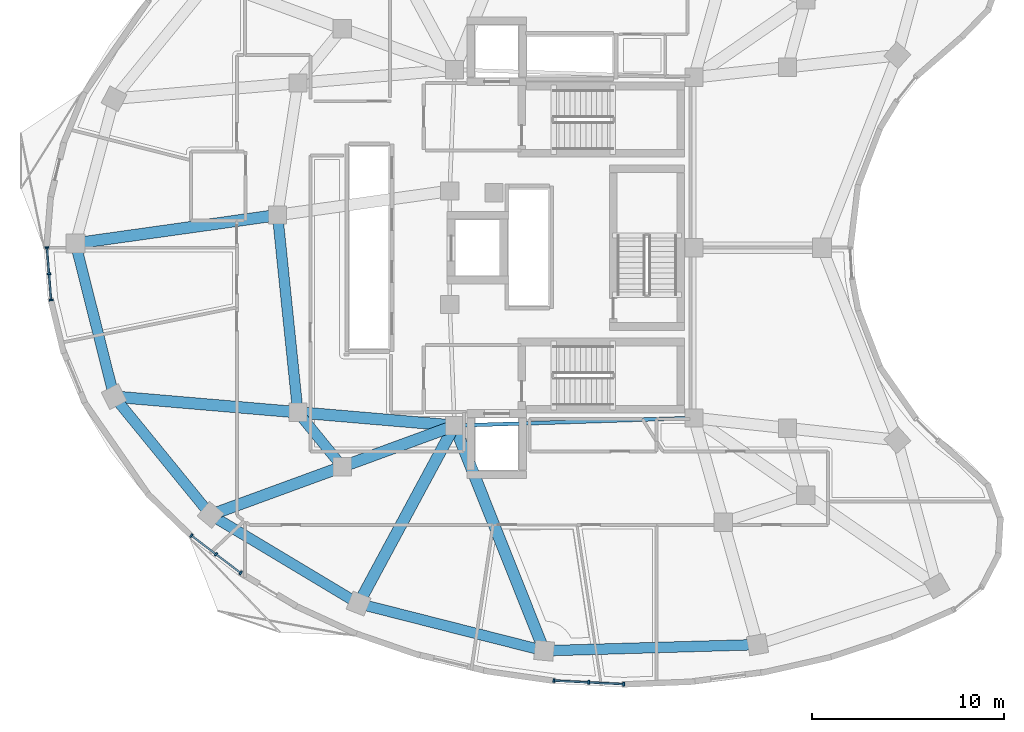
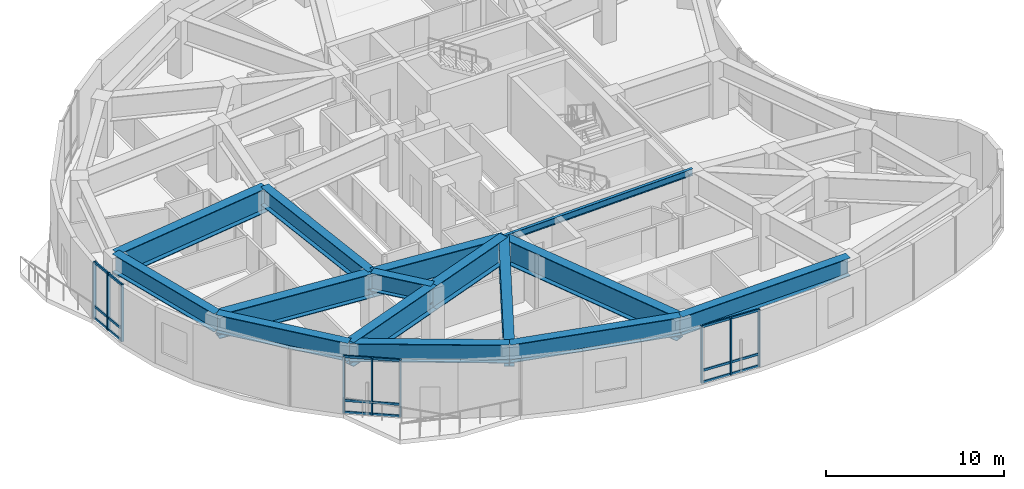
# One storey, part 2 of 14: 27 members, 15 beams, 3 elements without a shape of their own.
"""IFC4 building model written with IfcOpenShell, lengths in metres."""

from ifc_helpers import new_model, si_unit, direction, frame, origin, origin_2d, place, context, subcontext, project, spatial, rectangle, i_section, extrude, material, layer, layer_set, material_profile, profile_set, type_object, element, aggregate, save


model = new_model("IFC4")

# Units and contexts
model_context = context("Model", 3, precision=1e-05, world=origin(), true_north=direction((0.0, 1.0)))
body_context = subcontext(model_context, "Body", "Model", "MODEL_VIEW")
ifc_project = project(units=[si_unit("LENGTHUNIT", "METRE"), si_unit("AREAUNIT", "SQUARE_METRE"), si_unit("VOLUMEUNIT", "CUBIC_METRE"), si_unit("PLANEANGLEUNIT", "RADIAN"), si_unit("MASSUNIT", "GRAM", prefix="KILO")], contexts=[model_context])

# Site, building, storey
site_placement = place(None, origin())
site = spatial("IfcSite", under=ifc_project, at=site_placement, CompositionType="ELEMENT")
building_placement = place(site_placement, origin())
building = spatial("IfcBuilding", under=site, at=building_placement, Name="Korentha Bioscience Tower", CompositionType="ELEMENT")
storey_placement = place(building_placement, frame((0.0, 0.0, 239.39990234375)))
storey = spatial("IfcBuildingStorey", under=building, at=storey_placement, Name="L55", CompositionType="ELEMENT", Elevation=239.39990234375)

# Beams
ifc_material_1 = material(Name="Steel S355", Category="steel")
ifc_material_profile_1 = material_profile(ifc_material_1, i_section(OverallWidth=0.550048828125, OverallDepth=1.25, WebThickness=0.02392578125, FlangeThickness=0.0400390625, at=origin_2d()), Name="Steel S355")
ifc_profile_set_1 = profile_set([ifc_material_profile_1], Name="Steel S355 (TG-03)")
beam_type_1 = type_object("IfcBeamType", Name="Crown Step Transfer Girder CVS 1250x510", PredefinedType="USERDEFINED", material=ifc_profile_set_1)
beam_1_placement = place(storey_placement, frame((15.903076171875, 28.69482421875, 3.275146484375), z_axis=(0.102606546494, -0.994722019771, 0.0), x_axis=(0.994722019771, 0.102606546494, 0.0)))
element("IfcBeam", 1, at=beam_1_placement, inside=storey, type_object=beam_type_1, Name="L55 Mid-Ring Tie Girder 07", ObjectType="TRANSFER_GIRDER", PredefinedType="USERDEFINED", context=body_context, shape_type="SweptSolid", body=[
    extrude(i_section(OverallWidth=0.550048828125, OverallDepth=1.25, WebThickness=0.02392578125, FlangeThickness=0.0400390625, at=origin_2d()), origin(), (0.0, 0.0, 1.0), 10.30517578125),
])
beam_2_placement = place(storey_placement, frame((16.96044921875, 18.444091796875, 3.275146484375), z_axis=(0.632275728894, -0.774743443116, 0.0), x_axis=(0.774743443116, 0.632275728894, 0.0)))
element("IfcBeam", 2, at=beam_2_placement, inside=storey, type_object=beam_type_1, Name="L55 Mid-Ring Tie Girder 08", ObjectType="TRANSFER_GIRDER", PredefinedType="USERDEFINED", context=body_context, shape_type="SweptSolid", body=[
    extrude(i_section(OverallWidth=0.550048828125, OverallDepth=1.25, WebThickness=0.02392578125, FlangeThickness=0.0400390625, at=origin_2d()), origin(), (0.0, 0.0, 1.0), 3.650146484375),
])
beam_3_placement = place(storey_placement, frame((5.39990234375, 27.2216796875, 3.275146484375), z_axis=(0.244207174084, -0.969723082187, 0.0), x_axis=(0.969723082187, 0.244207174084, 0.0)))
element("IfcBeam", 3, at=beam_3_placement, inside=storey, type_object=beam_type_1, Name="L55 Perimeter Spandrel Girder 07", ObjectType="TRANSFER_GIRDER", PredefinedType="USERDEFINED", context=body_context, shape_type="SweptSolid", body=[
    extrude(i_section(OverallWidth=0.550048828125, OverallDepth=1.25, WebThickness=0.02392578125, FlangeThickness=0.0400390625, at=origin_2d()), origin(), (0.0, 0.0, 1.0), 8.211669921875),
])
beam_4_placement = place(storey_placement, frame((7.4052734375, 19.258544921875, 3.275146484375), z_axis=(0.632315820697, -0.774710722074, 0.0), x_axis=(0.774710722074, 0.632315820697, 0.0)))
element("IfcBeam", 4, at=beam_4_placement, inside=storey, type_object=beam_type_1, Name="L55 Perimeter Spandrel Girder 08", ObjectType="TRANSFER_GIRDER", PredefinedType="USERDEFINED", context=body_context, shape_type="SweptSolid", body=[
    extrude(i_section(OverallWidth=0.550048828125, OverallDepth=1.25, WebThickness=0.02392578125, FlangeThickness=0.0400390625, at=origin_2d()), origin(), (0.0, 0.0, 1.0), 7.934814453125),
])
beam_5_placement = place(storey_placement, frame((12.422607421875, 13.111328125, 3.275146484375), z_axis=(0.857644232791, -0.514243492872, 0.0), x_axis=(0.514243492872, 0.857644232791, 0.0)))
element("IfcBeam", 5, at=beam_5_placement, inside=storey, type_object=beam_type_1, Name="L55 Perimeter Spandrel Girder 09", ObjectType="TRANSFER_GIRDER", PredefinedType="USERDEFINED", context=body_context, shape_type="SweptSolid", body=[
    extrude(i_section(OverallWidth=0.550048828125, OverallDepth=1.25, WebThickness=0.02392578125, FlangeThickness=0.0400390625, at=origin_2d()), origin(), (0.0, 0.0, 1.0), 8.96728515625),
])
beam_6_placement = place(storey_placement, frame((20.11328125, 8.5, 3.275146484375), z_axis=(0.969197317616, -0.246285524395, 0.0), x_axis=(0.246285524395, 0.969197317616, 0.0)))
element("IfcBeam", 6, at=beam_6_placement, inside=storey, type_object=beam_type_1, Name="L55 Perimeter Spandrel Girder 10", ObjectType="TRANSFER_GIRDER", PredefinedType="USERDEFINED", context=body_context, shape_type="SweptSolid", body=[
    extrude(i_section(OverallWidth=0.550048828125, OverallDepth=1.25, WebThickness=0.02392578125, FlangeThickness=0.0400390625, at=origin_2d()), origin(), (0.0, 0.0, 1.0), 9.95263671875),
])
beam_7_placement = place(storey_placement, frame((29.75927734375, 6.048828125, 3.275146484375), z_axis=(0.999586140554, 0.028767127286, 0.0), x_axis=(-0.028767127286, 0.999586140554, 0.0)))
element("IfcBeam", 7, at=beam_7_placement, inside=storey, type_object=beam_type_1, Name="L55 Perimeter Spandrel Girder 11", ObjectType="TRANSFER_GIRDER", PredefinedType="USERDEFINED", context=body_context, shape_type="SweptSolid", body=[
    extrude(i_section(OverallWidth=0.550048828125, OverallDepth=1.25, WebThickness=0.02392578125, FlangeThickness=0.0400390625, at=origin_2d()), origin(), (0.0, 0.0, 1.0), 11.09228515625),
])
ifc_material_profile_2 = material_profile(ifc_material_1, i_section(OverallWidth=0.60009765625, OverallDepth=1.64990234375, WebThickness=0.02587890625, FlangeThickness=0.0439453125, at=origin_2d()), Name="Steel S355")
ifc_profile_set_2 = profile_set([ifc_material_profile_2], Name="Steel S355 (TG-04)")
beam_type_2 = type_object("IfcBeamType", Name="Deep Setback Transfer Girder CVS 1650x620", PredefinedType="USERDEFINED", material=ifc_profile_set_2)
beam_8_placement = place(storey_placement, frame((15.903076171875, 28.69482421875, 3.0751953125), z_axis=(-0.990306757518, -0.138897537827, 0.0), x_axis=(0.138897537827, -0.990306757518, 0.0)))
element("IfcBeam", 8, at=beam_8_placement, inside=storey, type_object=beam_type_2, Name="L55 Outer Radial Transfer Girder 07", ObjectType="TRANSFER_GIRDER", PredefinedType="USERDEFINED", context=body_context, shape_type="SweptSolid", body=[
    extrude(i_section(OverallWidth=0.60009765625, OverallDepth=1.64990234375, WebThickness=0.02587890625, FlangeThickness=0.0439453125, at=origin_2d()), origin(), (0.0, 0.0, 1.0), 10.60595703125),
])
beam_9_placement = place(storey_placement, frame((25.10009765625, 17.75, 3.0751953125), z_axis=(-0.996383970884, 0.084964595957, 0.0), x_axis=(-0.084964595957, -0.996383970884, 0.0)))
element("IfcBeam", 9, at=beam_9_placement, inside=storey, type_object=beam_type_2, Name="L55 Inner Radial Transfer Girder 08", ObjectType="TRANSFER_GIRDER", PredefinedType="USERDEFINED", context=body_context, shape_type="SweptSolid", body=[
    extrude(i_section(OverallWidth=0.60009765625, OverallDepth=1.64990234375, WebThickness=0.02587890625, FlangeThickness=0.0439453125, at=origin_2d()), origin(), (0.0, 0.0, 1.0), 8.169189453125),
])
beam_10_placement = place(storey_placement, frame((16.96044921875, 18.444091796875, 3.0751953125), z_axis=(-0.996387014591, 0.084928894698, 0.0), x_axis=(-0.084928894698, -0.996387014591, 0.0)))
element("IfcBeam", 10, at=beam_10_placement, inside=storey, type_object=beam_type_2, Name="L55 Outer Radial Transfer Girder 08", ObjectType="TRANSFER_GIRDER", PredefinedType="USERDEFINED", context=body_context, shape_type="SweptSolid", body=[
    extrude(i_section(OverallWidth=0.60009765625, OverallDepth=1.64990234375, WebThickness=0.02587890625, FlangeThickness=0.0439453125, at=origin_2d()), origin(), (0.0, 0.0, 1.0), 9.58984375),
])
beam_11_placement = place(storey_placement, frame((25.10009765625, 17.75, 3.0751953125), z_axis=(-0.939112022558, -0.343611130622, 0.0), x_axis=(0.343611130622, -0.939112022558, 0.0)))
element("IfcBeam", 11, at=beam_11_placement, inside=storey, type_object=beam_type_2, Name="L55 Inner Radial Transfer Girder 09", ObjectType="TRANSFER_GIRDER", PredefinedType="USERDEFINED", context=body_context, shape_type="SweptSolid", body=[
    extrude(i_section(OverallWidth=0.60009765625, OverallDepth=1.64990234375, WebThickness=0.02587890625, FlangeThickness=0.0439453125, at=origin_2d()), origin(), (0.0, 0.0, 1.0), 6.2099609375),
])
beam_12_placement = place(storey_placement, frame((19.268310546875, 15.6162109375, 3.0751953125), z_axis=(-0.939107036581, -0.343624757322, 0.0), x_axis=(0.343624757322, -0.939107036581, 0.0)))
element("IfcBeam", 12, at=beam_12_placement, inside=storey, type_object=beam_type_2, Name="L55 Outer Radial Transfer Girder 09", ObjectType="TRANSFER_GIRDER", PredefinedType="USERDEFINED", context=body_context, shape_type="SweptSolid", body=[
    extrude(i_section(OverallWidth=0.60009765625, OverallDepth=1.64990234375, WebThickness=0.02587890625, FlangeThickness=0.0439453125, at=origin_2d()), origin(), (0.0, 0.0, 1.0), 7.28955078125),
])
beam_13_placement = place(storey_placement, frame((25.10009765625, 17.75, 3.0751953125), z_axis=(-0.474545867703, -0.880230776243, 0.0), x_axis=(0.880230776243, -0.474545867703, 0.0)))
element("IfcBeam", 13, at=beam_13_placement, inside=storey, type_object=beam_type_2, Name="L55 Radial Transfer Girder 10", ObjectType="TRANSFER_GIRDER", PredefinedType="USERDEFINED", context=body_context, shape_type="SweptSolid", body=[
    extrude(i_section(OverallWidth=0.60009765625, OverallDepth=1.64990234375, WebThickness=0.02587890625, FlangeThickness=0.0439453125, at=origin_2d()), origin(), (0.0, 0.0, 1.0), 10.508544921875),
])
beam_14_placement = place(storey_placement, frame((25.10009765625, 17.75, 3.0751953125), z_axis=(0.369933042289, -0.929058418089, 0.0), x_axis=(0.929058418089, 0.369933042289, 0.0)))
element("IfcBeam", 14, at=beam_14_placement, inside=storey, type_object=beam_type_2, Name="L55 Radial Transfer Girder 11", ObjectType="TRANSFER_GIRDER", PredefinedType="USERDEFINED", context=body_context, shape_type="SweptSolid", body=[
    extrude(i_section(OverallWidth=0.60009765625, OverallDepth=1.64990234375, WebThickness=0.02587890625, FlangeThickness=0.0439453125, at=origin_2d()), origin(), (0.0, 0.0, 1.0), 12.5947265625),
])
ifc_material_profile_3 = material_profile(ifc_material_1, i_section(OverallWidth=0.18994140625, OverallDepth=0.45703125, WebThickness=0.009033203125, FlangeThickness=0.014404296875, at=origin_2d()), Name="Steel S355")
ifc_profile_set_3 = profile_set([ifc_material_profile_3], Name="Steel S355 (MB-460)")
beam_type_3 = type_object("IfcBeamType", Name="Mid-Ring Tie Girder W460x74", PredefinedType="BEAM", material=ifc_profile_set_3)
beam_15_placement = place(storey_placement, frame((25.10009765625, 17.75, 3.671630859375), z_axis=(0.999484526071, 0.032104238723, 0.0), x_axis=(-0.032104238723, 0.999484526071, 0.0)))
element("IfcBeam", 15, at=beam_15_placement, inside=storey, type_object=beam_type_3, Name="L55 Core Ring Tie Girder 05", PredefinedType="BEAM", context=body_context, shape_type="SweptSolid", body=[
    extrude(i_section(OverallWidth=0.18994140625, OverallDepth=0.45703125, WebThickness=0.009033203125, FlangeThickness=0.014404296875, at=origin_2d()), origin(), (0.0, 0.0, 1.0), 12.456298828125),
])

# Curtain wall, members
ifc_material_2 = material(Name="Thermally Broken Aluminium Frame", Category="aluminium")
ifc_layer = layer(ifc_material_2, 0.219970703125, Name="Thermally Broken Aluminium Frame")
ifc_layer_set = layer_set([ifc_layer], Name="Thermally Broken Aluminium Frame (CW-T1)")
curtain_wall_type = type_object("IfcCurtainWallType", Name="Standard Bioscience Lab Unitised Curtain Wall CW-T1", PredefinedType="USERDEFINED", material=ifc_layer_set)
curtain_wall_1_placement = place(storey_placement, origin())
curtain_wall_1 = element("IfcCurtainWall", 16, at=curtain_wall_1_placement, inside=storey, type_object=curtain_wall_type, Name="L55 Curtain Wall 19", ObjectType="UNITISED", PredefinedType="USERDEFINED")
ifc_material_3 = material(Name="Anodised Aluminium 6063-T6", Category="aluminium")
ifc_material_profile_4 = material_profile(ifc_material_3, rectangle(XDim=0.090087890625, YDim=0.199951171875, at=origin_2d()), Name="Anodised Aluminium 6063-T6")
ifc_profile_set_4 = profile_set([ifc_material_profile_4], Name="Anodised Aluminium 6063-T6 (CW-MUL)")
member_type_1 = type_object("IfcMemberType", Name="Mullion RECT 90x200", PredefinedType="MULLION", material=ifc_profile_set_4)
member_1_placement = place(storey_placement, frame((3.9169921875, 27.0078125, 0.0), z_axis=(0.0, 0.0, 1.0), x_axis=(0.07974803224, -0.996815053736, 0.0)))
member_1 = element("IfcMember", 17, at=member_1_placement, type_object=member_type_1, Name="CW-L55-19 Mullion 1", PredefinedType="MULLION", context=body_context, shape_type="SweptSolid", body=[
    extrude(rectangle(XDim=0.090087890625, YDim=0.199951171875, at=origin_2d()), origin(), (0.0, 0.0, 1.0), 3.900146484375),
])
member_2_placement = place(storey_placement, frame((4.026123046875, 25.642578125, 0.0), z_axis=(0.0, 0.0, 1.0), x_axis=(0.07974803224, -0.996815053736, 0.0)))
member_2 = element("IfcMember", 18, at=member_2_placement, type_object=member_type_1, Name="CW-L55-19 Mullion 2", PredefinedType="MULLION", context=body_context, shape_type="SweptSolid", body=[
    extrude(rectangle(XDim=0.090087890625, YDim=0.199951171875, at=origin_2d()), origin(), (0.0, 0.0, 1.0), 3.900146484375),
])
member_3_placement = place(storey_placement, frame((4.13525390625, 24.277587890625, 0.0), z_axis=(0.0, 0.0, 1.0), x_axis=(0.07974803224, -0.996815053736, 0.0)))
member_3 = element("IfcMember", 19, at=member_3_placement, type_object=member_type_1, Name="CW-L55-19 Mullion 3", PredefinedType="MULLION", context=body_context, shape_type="SweptSolid", body=[
    extrude(rectangle(XDim=0.090087890625, YDim=0.199951171875, at=origin_2d()), origin(), (0.0, 0.0, 1.0), 3.900146484375),
])

curtain_wall_2_placement = place(storey_placement, origin())
curtain_wall_2 = element("IfcCurtainWall", 20, at=curtain_wall_2_placement, inside=storey, type_object=curtain_wall_type, Name="L55 Curtain Wall 25", ObjectType="UNITISED", PredefinedType="USERDEFINED")
member_4_placement = place(storey_placement, frame((11.423095703125, 12.036865234375, 0.0), z_axis=(0.0, 0.0, 1.0), x_axis=(0.796889131105, -0.604125576951, 0.0)))
member_4 = element("IfcMember", 21, at=member_4_placement, type_object=member_type_1, Name="CW-L55-25 Mullion 1", PredefinedType="MULLION", context=body_context, shape_type="SweptSolid", body=[
    extrude(rectangle(XDim=0.090087890625, YDim=0.199951171875, at=origin_2d()), origin(), (0.0, 0.0, 1.0), 3.900146484375),
])
member_5_placement = place(storey_placement, frame((12.704345703125, 11.065673828125, 0.0), z_axis=(0.0, 0.0, 1.0), x_axis=(0.796889131105, -0.604125576951, 0.0)))
member_5 = element("IfcMember", 22, at=member_5_placement, type_object=member_type_1, Name="CW-L55-25 Mullion 2", PredefinedType="MULLION", context=body_context, shape_type="SweptSolid", body=[
    extrude(rectangle(XDim=0.090087890625, YDim=0.199951171875, at=origin_2d()), origin(), (0.0, 0.0, 1.0), 3.900146484375),
])
member_6_placement = place(storey_placement, frame((13.985595703125, 10.09423828125, 0.0), z_axis=(0.0, 0.0, 1.0), x_axis=(0.796889131105, -0.604125576951, 0.0)))
member_6 = element("IfcMember", 23, at=member_6_placement, type_object=member_type_1, Name="CW-L55-25 Mullion 3", PredefinedType="MULLION", context=body_context, shape_type="SweptSolid", body=[
    extrude(rectangle(XDim=0.090087890625, YDim=0.199951171875, at=origin_2d()), origin(), (0.0, 0.0, 1.0), 3.900146484375),
])

curtain_wall_3_placement = place(storey_placement, origin())
curtain_wall_3 = element("IfcCurtainWall", 24, at=curtain_wall_3_placement, inside=storey, type_object=curtain_wall_type, Name="L55 Curtain Wall 31", ObjectType="UNITISED", PredefinedType="USERDEFINED")
member_7_placement = place(storey_placement, frame((30.262939453125, 4.501708984375, 0.0), z_axis=(0.0, 0.0, 1.0), x_axis=(0.998695818107, -0.051055488397, 0.0)))
member_7 = element("IfcMember", 25, at=member_7_placement, type_object=member_type_1, Name="CW-L55-31 Mullion 1", PredefinedType="MULLION", context=body_context, shape_type="SweptSolid", body=[
    extrude(rectangle(XDim=0.090087890625, YDim=0.199951171875, at=origin_2d()), origin(), (0.0, 0.0, 1.0), 3.900146484375),
])
member_8_placement = place(storey_placement, frame((32.078125, 4.40869140625, 0.0), z_axis=(0.0, 0.0, 1.0), x_axis=(0.998695818107, -0.051055488397, 0.0)))
member_8 = element("IfcMember", 26, at=member_8_placement, type_object=member_type_1, Name="CW-L55-31 Mullion 2", PredefinedType="MULLION", context=body_context, shape_type="SweptSolid", body=[
    extrude(rectangle(XDim=0.090087890625, YDim=0.199951171875, at=origin_2d()), origin(), (0.0, 0.0, 1.0), 3.900146484375),
])
member_9_placement = place(storey_placement, frame((33.8935546875, 4.31591796875, 0.0), z_axis=(0.0, 0.0, 1.0), x_axis=(0.998695818107, -0.051055488397, 0.0)))
member_9 = element("IfcMember", 27, at=member_9_placement, type_object=member_type_1, Name="CW-L55-31 Mullion 3", PredefinedType="MULLION", context=body_context, shape_type="SweptSolid", body=[
    extrude(rectangle(XDim=0.090087890625, YDim=0.199951171875, at=origin_2d()), origin(), (0.0, 0.0, 1.0), 3.900146484375),
])

# Member
ifc_material_profile_5 = material_profile(ifc_material_3, rectangle(XDim=0.090087890625, YDim=0.159912109375, at=origin_2d()), Name="Anodised Aluminium 6063-T6")
ifc_profile_set_5 = profile_set([ifc_material_profile_5], Name="Anodised Aluminium 6063-T6 (CW-TRN)")
member_type_2 = type_object("IfcMemberType", Name="Transom RECT 90x160", PredefinedType="USERDEFINED", material=ifc_profile_set_5)
member_10_placement = place(storey_placement, frame((3.92041015625, 26.962890625, 0.045166015625), z_axis=(0.079760390344, -0.996814064975, 0.0), x_axis=(0.996814064975, 0.079760390344, 0.0)))
member_10 = element("IfcMember", 28, at=member_10_placement, type_object=member_type_2, Name="CW-L55-19 Bay 1 Transom 1", ObjectType="TRANSOM", PredefinedType="USERDEFINED", context=body_context, shape_type="SweptSolid", body=[
    extrude(rectangle(XDim=0.090087890625, YDim=0.159912109375, at=origin_2d()), origin(), (0.0, 0.0, 1.0), 1.279541015625),
])

member_11_placement = place(storey_placement, frame((3.92041015625, 26.962890625, 0.85009765625), z_axis=(0.079760390344, -0.996814064975, 0.0), x_axis=(0.996814064975, 0.079760390344, 0.0)))
member_11 = element("IfcMember", 29, at=member_11_placement, type_object=member_type_2, Name="CW-L55-19 Bay 1 Transom 2", ObjectType="TRANSOM", PredefinedType="USERDEFINED", context=body_context, shape_type="SweptSolid", body=[
    extrude(rectangle(XDim=0.090087890625, YDim=0.159912109375, at=origin_2d()), origin(), (0.0, 0.0, 1.0), 1.279541015625),
])

member_12_placement = place(storey_placement, frame((3.92041015625, 26.962890625, 3.85498046875), z_axis=(0.079760390344, -0.996814064975, 0.0), x_axis=(0.996814064975, 0.079760390344, 0.0)))
member_12 = element("IfcMember", 30, at=member_12_placement, type_object=member_type_2, Name="CW-L55-19 Bay 1 Transom 3", ObjectType="TRANSOM", PredefinedType="USERDEFINED", context=body_context, shape_type="SweptSolid", body=[
    extrude(rectangle(XDim=0.090087890625, YDim=0.159912109375, at=origin_2d()), origin(), (0.0, 0.0, 1.0), 1.279541015625),
])

member_13_placement = place(storey_placement, frame((4.02978515625, 25.597900390625, 0.045166015625), z_axis=(0.079570785596, -0.996829218111, 0.0), x_axis=(0.996829218111, 0.079570785596, 0.0)))
member_13 = element("IfcMember", 31, at=member_13_placement, type_object=member_type_2, Name="CW-L55-19 Bay 2 Transom 1", ObjectType="TRANSOM", PredefinedType="USERDEFINED", context=body_context, shape_type="SweptSolid", body=[
    extrude(rectangle(XDim=0.090087890625, YDim=0.159912109375, at=origin_2d()), origin(), (0.0, 0.0, 1.0), 1.279541015625),
])

member_14_placement = place(storey_placement, frame((4.02978515625, 25.597900390625, 0.85009765625), z_axis=(0.079570785596, -0.996829218111, 0.0), x_axis=(0.996829218111, 0.079570785596, 0.0)))
member_14 = element("IfcMember", 32, at=member_14_placement, type_object=member_type_2, Name="CW-L55-19 Bay 2 Transom 2", ObjectType="TRANSOM", PredefinedType="USERDEFINED", context=body_context, shape_type="SweptSolid", body=[
    extrude(rectangle(XDim=0.090087890625, YDim=0.159912109375, at=origin_2d()), origin(), (0.0, 0.0, 1.0), 1.279541015625),
])

member_15_placement = place(storey_placement, frame((4.02978515625, 25.597900390625, 3.85498046875), z_axis=(0.079570785596, -0.996829218111, 0.0), x_axis=(0.996829218111, 0.079570785596, 0.0)))
member_15 = element("IfcMember", 33, at=member_15_placement, type_object=member_type_2, Name="CW-L55-19 Bay 2 Transom 3", ObjectType="TRANSOM", PredefinedType="USERDEFINED", context=body_context, shape_type="SweptSolid", body=[
    extrude(rectangle(XDim=0.090087890625, YDim=0.159912109375, at=origin_2d()), origin(), (0.0, 0.0, 1.0), 1.279541015625),
])

aggregate(curtain_wall_1, [member_1, member_2, member_3, member_10, member_11, member_12, member_13, member_14, member_15])

member_16_placement = place(storey_placement, frame((11.458984375, 12.009765625, 0.045166015625), z_axis=(0.796862167345, -0.604161142622, 0.0), x_axis=(0.604161142622, 0.796862167345, 0.0)))
member_16 = element("IfcMember", 34, at=member_16_placement, type_object=member_type_2, Name="CW-L55-25 Bay 1 Transom 1", ObjectType="TRANSOM", PredefinedType="USERDEFINED", context=body_context, shape_type="SweptSolid", body=[
    extrude(rectangle(XDim=0.090087890625, YDim=0.159912109375, at=origin_2d()), origin(), (0.0, 0.0, 1.0), 1.517822265625),
])

member_17_placement = place(storey_placement, frame((11.458984375, 12.009765625, 0.85009765625), z_axis=(0.796862167345, -0.604161142622, 0.0), x_axis=(0.604161142622, 0.796862167345, 0.0)))
member_17 = element("IfcMember", 35, at=member_17_placement, type_object=member_type_2, Name="CW-L55-25 Bay 1 Transom 2", ObjectType="TRANSOM", PredefinedType="USERDEFINED", context=body_context, shape_type="SweptSolid", body=[
    extrude(rectangle(XDim=0.090087890625, YDim=0.159912109375, at=origin_2d()), origin(), (0.0, 0.0, 1.0), 1.517822265625),
])

member_18_placement = place(storey_placement, frame((11.458984375, 12.009765625, 3.85498046875), z_axis=(0.796862167345, -0.604161142622, 0.0), x_axis=(0.604161142622, 0.796862167345, 0.0)))
member_18 = element("IfcMember", 36, at=member_18_placement, type_object=member_type_2, Name="CW-L55-25 Bay 1 Transom 3", ObjectType="TRANSOM", PredefinedType="USERDEFINED", context=body_context, shape_type="SweptSolid", body=[
    extrude(rectangle(XDim=0.090087890625, YDim=0.159912109375, at=origin_2d()), origin(), (0.0, 0.0, 1.0), 1.517822265625),
])

member_19_placement = place(storey_placement, frame((12.740234375, 11.038330078125, 0.045166015625), z_axis=(0.796939607942, -0.604058988256, 0.0), x_axis=(0.604058988256, 0.796939607942, 0.0)))
member_19 = element("IfcMember", 37, at=member_19_placement, type_object=member_type_2, Name="CW-L55-25 Bay 2 Transom 1", ObjectType="TRANSOM", PredefinedType="USERDEFINED", context=body_context, shape_type="SweptSolid", body=[
    extrude(rectangle(XDim=0.090087890625, YDim=0.159912109375, at=origin_2d()), origin(), (0.0, 0.0, 1.0), 1.517578125),
])

member_20_placement = place(storey_placement, frame((12.740234375, 11.038330078125, 0.85009765625), z_axis=(0.796939607942, -0.604058988256, 0.0), x_axis=(0.604058988256, 0.796939607942, 0.0)))
member_20 = element("IfcMember", 38, at=member_20_placement, type_object=member_type_2, Name="CW-L55-25 Bay 2 Transom 2", ObjectType="TRANSOM", PredefinedType="USERDEFINED", context=body_context, shape_type="SweptSolid", body=[
    extrude(rectangle(XDim=0.090087890625, YDim=0.159912109375, at=origin_2d()), origin(), (0.0, 0.0, 1.0), 1.517578125),
])

member_21_placement = place(storey_placement, frame((12.740234375, 11.038330078125, 3.85498046875), z_axis=(0.796939607942, -0.604058988256, 0.0), x_axis=(0.604058988256, 0.796939607942, 0.0)))
member_21 = element("IfcMember", 39, at=member_21_placement, type_object=member_type_2, Name="CW-L55-25 Bay 2 Transom 3", ObjectType="TRANSOM", PredefinedType="USERDEFINED", context=body_context, shape_type="SweptSolid", body=[
    extrude(rectangle(XDim=0.090087890625, YDim=0.159912109375, at=origin_2d()), origin(), (0.0, 0.0, 1.0), 1.517578125),
])

aggregate(curtain_wall_2, [member_4, member_5, member_6, member_16, member_17, member_18, member_19, member_20, member_21])

member_22_placement = place(storey_placement, frame((30.307861328125, 4.499267578125, 0.045166015625), z_axis=(0.998697837161, -0.051015978381, 0.0), x_axis=(0.051015978381, 0.998697837161, 0.0)))
member_22 = element("IfcMember", 40, at=member_22_placement, type_object=member_type_2, Name="CW-L55-31 Bay 1 Transom 1", ObjectType="TRANSOM", PredefinedType="USERDEFINED", context=body_context, shape_type="SweptSolid", body=[
    extrude(rectangle(XDim=0.090087890625, YDim=0.159912109375, at=origin_2d()), origin(), (0.0, 0.0, 1.0), 1.7275390625),
])

member_23_placement = place(storey_placement, frame((30.307861328125, 4.499267578125, 0.85009765625), z_axis=(0.998697837161, -0.051015978381, 0.0), x_axis=(0.051015978381, 0.998697837161, 0.0)))
member_23 = element("IfcMember", 41, at=member_23_placement, type_object=member_type_2, Name="CW-L55-31 Bay 1 Transom 2", ObjectType="TRANSOM", PredefinedType="USERDEFINED", context=body_context, shape_type="SweptSolid", body=[
    extrude(rectangle(XDim=0.090087890625, YDim=0.159912109375, at=origin_2d()), origin(), (0.0, 0.0, 1.0), 1.7275390625),
])

member_24_placement = place(storey_placement, frame((30.307861328125, 4.499267578125, 3.85498046875), z_axis=(0.998697837161, -0.051015978381, 0.0), x_axis=(0.051015978381, 0.998697837161, 0.0)))
member_24 = element("IfcMember", 42, at=member_24_placement, type_object=member_type_2, Name="CW-L55-31 Bay 1 Transom 3", ObjectType="TRANSOM", PredefinedType="USERDEFINED", context=body_context, shape_type="SweptSolid", body=[
    extrude(rectangle(XDim=0.090087890625, YDim=0.159912109375, at=origin_2d()), origin(), (0.0, 0.0, 1.0), 1.7275390625),
])

member_25_placement = place(storey_placement, frame((32.123291015625, 4.406494140625, 0.045166015625), z_axis=(0.998697837161, -0.051015978381, 0.0), x_axis=(0.051015978381, 0.998697837161, 0.0)))
member_25 = element("IfcMember", 43, at=member_25_placement, type_object=member_type_2, Name="CW-L55-31 Bay 2 Transom 1", ObjectType="TRANSOM", PredefinedType="USERDEFINED", context=body_context, shape_type="SweptSolid", body=[
    extrude(rectangle(XDim=0.090087890625, YDim=0.159912109375, at=origin_2d()), origin(), (0.0, 0.0, 1.0), 1.7275390625),
])

member_26_placement = place(storey_placement, frame((32.123291015625, 4.406494140625, 0.85009765625), z_axis=(0.998697837161, -0.051015978381, 0.0), x_axis=(0.051015978381, 0.998697837161, 0.0)))
member_26 = element("IfcMember", 44, at=member_26_placement, type_object=member_type_2, Name="CW-L55-31 Bay 2 Transom 2", ObjectType="TRANSOM", PredefinedType="USERDEFINED", context=body_context, shape_type="SweptSolid", body=[
    extrude(rectangle(XDim=0.090087890625, YDim=0.159912109375, at=origin_2d()), origin(), (0.0, 0.0, 1.0), 1.7275390625),
])

member_27_placement = place(storey_placement, frame((32.123291015625, 4.406494140625, 3.85498046875), z_axis=(0.998697837161, -0.051015978381, 0.0), x_axis=(0.051015978381, 0.998697837161, 0.0)))
member_27 = element("IfcMember", 45, at=member_27_placement, type_object=member_type_2, Name="CW-L55-31 Bay 2 Transom 3", ObjectType="TRANSOM", PredefinedType="USERDEFINED", context=body_context, shape_type="SweptSolid", body=[
    extrude(rectangle(XDim=0.090087890625, YDim=0.159912109375, at=origin_2d()), origin(), (0.0, 0.0, 1.0), 1.7275390625),
])

aggregate(curtain_wall_3, [member_7, member_8, member_9, member_22, member_23, member_24, member_25, member_26, member_27])

save(model, "model.ifc")
